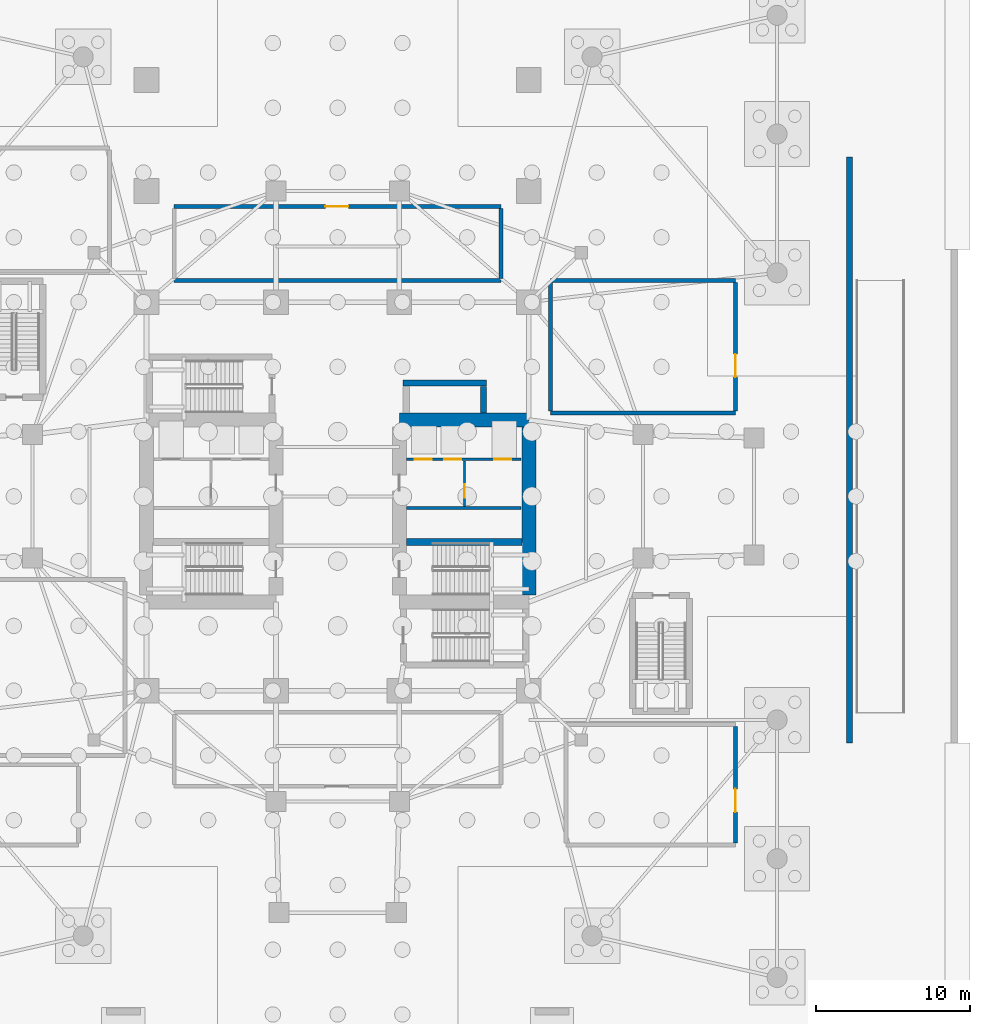
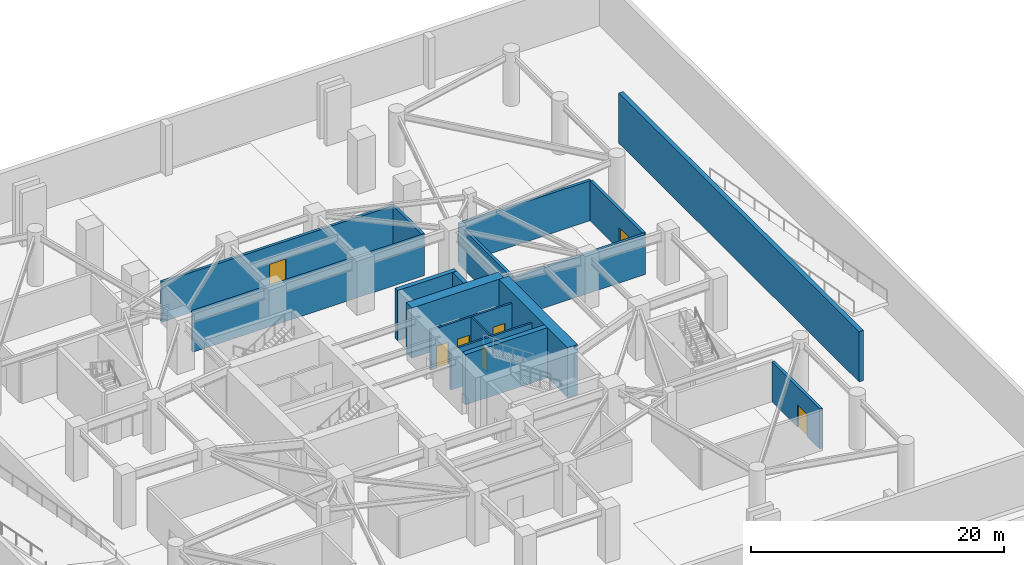
# One storey, part 7 of 14: 17 walls, 7 doors, 7 openings.
"""IFC4 building model written with IfcOpenShell, lengths in metres."""

from ifc_helpers import new_model, si_unit, direction, frame, frame_2d, origin, place, context, subcontext, project, spatial, rectangle, extrude, material, layer, layer_set, type_object, element, fill, save


model = new_model("IFC4")

# Units and contexts
model_context = context("Model", 3, precision=1e-05, world=origin(), true_north=direction((0.0, 1.0)))
body_context = subcontext(model_context, "Body", "Model", "MODEL_VIEW")
ifc_project = project(units=[si_unit("LENGTHUNIT", "METRE"), si_unit("AREAUNIT", "SQUARE_METRE"), si_unit("VOLUMEUNIT", "CUBIC_METRE"), si_unit("PLANEANGLEUNIT", "RADIAN"), si_unit("MASSUNIT", "GRAM", prefix="KILO")], contexts=[model_context])

# Site, building, storey
site_placement = place(None, origin())
site = spatial("IfcSite", under=ifc_project, at=site_placement, CompositionType="ELEMENT")
building_placement = place(site_placement, origin())
building = spatial("IfcBuilding", under=site, at=building_placement, Name="Qingluan Cross Belvedere", CompositionType="ELEMENT")
storey_placement = place(building_placement, frame((0.0, 0.0, -10.39990234375)))
storey = spatial("IfcBuildingStorey", under=building, at=storey_placement, Name="B2", CompositionType="ELEMENT", Elevation=-10.39990234375)

# Walls
ifc_material_1 = material(Name="Concrete C50", Category="concrete")
ifc_layer_1 = layer(ifc_material_1, 0.449951171875, Name="CoreShearWall_450")
ifc_layer_set_1 = layer_set([ifc_layer_1], Name="Concrete C50")
wall_type_1 = type_object("IfcWallType", Name="CoreShearWall_450", PredefinedType="SHEAR", material=ifc_layer_set_1)
wall_1_placement = place(storey_placement, frame((33.199951171875, -16.0, 0.0), z_axis=(0.0, 0.0, 1.0), x_axis=(0.0, 1.0, 0.0)))
element("IfcWall", 1, at=wall_1_placement, inside=storey, type_object=wall_type_1, Name="Vehicle ramp structural support wall E B2", PredefinedType="SHEAR", context=body_context, shape_type="SweptSolid", body=[
    extrude(rectangle(XDim=38.0, YDim=0.39990234375, at=frame_2d((19.0, 0.0))), origin(), (0.0, 0.0, 1.0), 4.849853515625),
])
wall_2_placement = place(storey_placement, frame((4.455078125, -2.9599609375, 0.0), z_axis=(0.0, 0.0, 1.0), x_axis=(1.0, 0.0, 0.0)))
element("IfcWall", 2, at=wall_2_placement, inside=storey, type_object=wall_type_1, Name="Split core E shear wall B2-M", PredefinedType="SHEAR", context=body_context, shape_type="SweptSolid", body=[
    extrude(rectangle(XDim=7.489990234375, YDim=0.449951171875, at=frame_2d((3.7451171875, 0.0))), origin(), (0.0, 0.0, 1.0), 4.849853515625),
])
wall_3_placement = place(storey_placement, frame((4.25, 7.35009765625, 0.0), z_axis=(0.0, 0.0, 1.0), x_axis=(1.0, 0.0, 0.0)))
element("IfcWall", 3, at=wall_3_placement, inside=storey, type_object=wall_type_1, Name="Express shuttle core wall B2-N", PredefinedType="SHEAR", context=body_context, shape_type="SweptSolid", body=[
    extrude(rectangle(XDim=5.39990234375, YDim=0.39990234375, at=frame_2d((2.699951171875, 0.0))), origin(), (0.0, 0.0, 1.0), 4.849853515625),
])
wall_4_placement = place(storey_placement, frame((9.449951171875, 5.405029296875, 0.0), z_axis=(0.0, 0.0, 1.0), x_axis=(0.0, 1.0, 0.0)))
element("IfcWall", 4, at=wall_4_placement, inside=storey, type_object=wall_type_1, Name="Express shuttle core wall B2-E", PredefinedType="SHEAR", context=body_context, shape_type="SweptSolid", body=[
    extrude(rectangle(XDim=1.73486328125, YDim=0.39990234375, at=frame_2d((0.867431640625, 0.0))), origin(), (0.0, 0.0, 1.0), 4.849853515625),
])
ifc_material_2 = material(Name="Concrete C70", Category="concrete")
ifc_layer_2 = layer(ifc_material_2, 0.89990234375, Name="CoreShearWall_900")
ifc_layer_set_2 = layer_set([ifc_layer_2], Name="Concrete C70")
wall_type_2 = type_object("IfcWallType", Name="CoreShearWall_900", PredefinedType="SHEAR", material=ifc_layer_set_2)
wall_5_placement = place(storey_placement, frame((4.0, 4.949951171875, 0.0), z_axis=(0.0, 0.0, 1.0), x_axis=(1.0, 0.0, 0.0)))
element("IfcWall", 5, at=wall_5_placement, inside=storey, type_object=wall_type_2, Name="Split core E shear wall B2-N", PredefinedType="SHEAR", context=body_context, shape_type="SweptSolid", body=[
    extrude(rectangle(XDim=8.39990234375, YDim=0.89990234375, at=frame_2d((4.199951171875, 0.0))), origin(), (0.0, 0.0, 1.0), 4.849853515625),
])
wall_6_placement = place(storey_placement, frame((12.39990234375, -6.39501953125, 0.0), z_axis=(0.0, 0.0, 1.0), x_axis=(0.0, 1.0, 0.0)))
element("IfcWall", 6, at=wall_6_placement, inside=storey, type_object=wall_type_2, Name="Split core E shear wall B2-E", PredefinedType="SHEAR", context=body_context, shape_type="SweptSolid", body=[
    extrude(rectangle(XDim=10.89013671875, YDim=0.89990234375, at=frame_2d((5.445068359375, 0.0))), origin(), (0.0, 0.0, 1.0), 4.849853515625),
])

# Wall, opening, door
ifc_material_3 = material(Name="Concrete C40", Category="concrete")
ifc_layer_3 = layer(ifc_material_3, 0.300048828125, Name="FireCompartmentWall_300")
ifc_layer_set_3 = layer_set([ifc_layer_3], Name="Concrete C40")
wall_type_3 = type_object("IfcWallType", Name="FireCompartmentWall_300", PredefinedType="SOLIDWALL", material=ifc_layer_set_3)
wall_7_placement = place(storey_placement, frame((25.800048828125, -22.469970703125, 0.0), z_axis=(0.0, 0.0, 1.0), x_axis=(0.0, 1.0, 0.0)))
wall_7 = element("IfcWall", 7, at=wall_7_placement, inside=storey, type_object=wall_type_3, Name="Partition B2:fire_tank_pump:E", PredefinedType="SOLIDWALL", context=body_context, shape_type="SweptSolid", body=[
    extrude(rectangle(XDim=7.5400390625, YDim=0.25, at=frame_2d((3.77001953125, 0.0))), origin(), (0.0, 0.0, 1.0), 3.869873046875),
])
opening_1_placement = place(wall_7_placement, frame((2.0, 0.0, 0.0)))
opening_1 = element("IfcOpeningElement", 8, at=opening_1_placement, cuts=wall_7, Name="Opening FD-A15", PredefinedType="OPENING", context=body_context, shape_type="SweptSolid", body=[
    extrude(rectangle(XDim=1.5, YDim=2.14990234375, at=frame_2d((0.75, 1.074951171875))), frame((0.0, 0.135009765625, 0.0), z_axis=(0.0, -1.0, 0.0), x_axis=(1.0, 0.0, 0.0)), (0.0, 0.0, 1.0), 0.27001953125),
])
ifc_material_4 = material(Name="Insulated steel Class A double fire door", Category="steel")
door_type_1 = type_object("IfcDoorType", Name="PlantDoubleFireDoor_FDA", OperationType="DOUBLE_DOOR_SINGLE_SWING", PredefinedType="DOOR", material=ifc_material_4)
door_1_placement = place(opening_1_placement, origin())
door_1 = element("IfcDoor", 9, at=door_1_placement, inside=storey, type_object=door_type_1, Name="Fire pump and water storage tank room East B2 door", OperationType="DOUBLE_DOOR_SINGLE_SWING", OverallHeight=2.14990234375, OverallWidth=1.5, PredefinedType="DOOR", context=body_context, shape_type="SweptSolid", body=[
    extrude(rectangle(XDim=1.5, YDim=2.14990234375, at=frame_2d((0.75, 1.074951171875))), frame((0.0, 0.02490234375, 0.0), z_axis=(0.0, -1.0, 0.0), x_axis=(1.0, 0.0, 0.0)), (0.0, 0.0, 1.0), 0.050048828125),
])
fill(opening_1, door_1)

# Wall
wall_8_placement = place(storey_placement, frame((-10.60009765625, 14.0, 0.0), z_axis=(0.0, 0.0, 1.0), x_axis=(1.0, 0.0, 0.0)))
element("IfcWall", 10, at=wall_8_placement, inside=storey, type_object=wall_type_3, Name="Partition B2:fire_tank_n:S", PredefinedType="SOLIDWALL", context=body_context, shape_type="SweptSolid", body=[
    extrude(rectangle(XDim=21.2001953125, YDim=0.25, at=frame_2d((10.60009765625, 0.0))), origin(), (0.0, 0.0, 1.0), 3.869873046875),
])

# Wall, opening, door
wall_9_placement = place(storey_placement, frame((-10.60009765625, 18.800048828125, 0.0), z_axis=(0.0, 0.0, 1.0), x_axis=(1.0, 0.0, 0.0)))
wall_9 = element("IfcWall", 11, at=wall_9_placement, inside=storey, type_object=wall_type_3, Name="Partition B2:fire_tank_n:N", PredefinedType="SOLIDWALL", context=body_context, shape_type="SweptSolid", body=[
    extrude(rectangle(XDim=21.2001953125, YDim=0.25, at=frame_2d((10.60009765625, 0.0))), origin(), (0.0, 0.0, 1.0), 3.869873046875),
])
opening_2_placement = place(wall_9_placement, frame((9.800048828125, 0.0, 0.0)))
opening_2 = element("IfcOpeningElement", 12, at=opening_2_placement, cuts=wall_9, Name="Opening FD-A15", PredefinedType="OPENING", context=body_context, shape_type="SweptSolid", body=[
    extrude(rectangle(XDim=1.5, YDim=2.14990234375, at=frame_2d((0.75, 1.074951171875))), frame((0.0, 0.135009765625, 0.0), z_axis=(0.0, -1.0, 0.0), x_axis=(1.0, 0.0, 0.0)), (0.0, 0.0, 1.0), 0.27001953125),
])
door_2_placement = place(opening_2_placement, origin())
door_2 = element("IfcDoor", 13, at=door_2_placement, inside=storey, type_object=door_type_1, Name="Fire water auxiliary storage tank room North B2 door", OperationType="DOUBLE_DOOR_SINGLE_SWING", OverallHeight=2.14990234375, OverallWidth=1.5, PredefinedType="DOOR", context=body_context, shape_type="SweptSolid", body=[
    extrude(rectangle(XDim=1.5, YDim=2.14990234375, at=frame_2d((0.75, 1.074951171875))), frame((0.0, 0.02490234375, 0.0), z_axis=(0.0, -1.0, 0.0), x_axis=(1.0, 0.0, 0.0)), (0.0, 0.0, 1.0), 0.050048828125),
])
fill(opening_2, door_2)

# Walls
wall_10_placement = place(storey_placement, frame((10.60009765625, 14.1298828125, 0.0), z_axis=(0.0, 0.0, 1.0), x_axis=(0.0, 1.0, 0.0)))
element("IfcWall", 14, at=wall_10_placement, inside=storey, type_object=wall_type_3, Name="Partition B2:fire_tank_n:E", PredefinedType="SOLIDWALL", context=body_context, shape_type="SweptSolid", body=[
    extrude(rectangle(XDim=4.5400390625, YDim=0.25, at=frame_2d((2.27001953125, 0.0))), origin(), (0.0, 0.0, 1.0), 3.869873046875),
])
for number, where, z_axis, x_axis, name in (
    (15, (13.800048828125, 5.39990234375, 0.0), (0.0, 0.0, 1.0), (1.0, 0.0, 0.0), "Partition B2:boiler_plant:S"),
    (16, (13.800048828125, 14.0, 0.0), (0.0, 0.0, 1.0), (1.0, 0.0, 0.0), "Partition B2:boiler_plant:N"),
):
    element("IfcWall", number, at=place(storey_placement, frame(where, z_axis=z_axis, x_axis=x_axis)), inside=storey, type_object=wall_type_3, Name=name, PredefinedType="SOLIDWALL", context=body_context, shape_type="SweptSolid", body=[
        extrude(rectangle(XDim=12.0, YDim=0.25, at=frame_2d((6.0, 0.0))), origin(), (0.0, 0.0, 1.0), 3.869873046875),
    ])
wall_11_placement = place(storey_placement, frame((13.800048828125, 5.530029296875, 0.0), z_axis=(0.0, 0.0, 1.0), x_axis=(0.0, 1.0, 0.0)))
element("IfcWall", 17, at=wall_11_placement, inside=storey, type_object=wall_type_3, Name="Partition B2:boiler_plant:W", PredefinedType="SOLIDWALL", context=body_context, shape_type="SweptSolid", body=[
    extrude(rectangle(XDim=8.340087890625, YDim=0.25, at=frame_2d((4.169921875, 0.0))), origin(), (0.0, 0.0, 1.0), 3.869873046875),
])

# Wall, opening, door
wall_12_placement = place(storey_placement, frame((25.800048828125, 5.530029296875, 0.0), z_axis=(0.0, 0.0, 1.0), x_axis=(0.0, 1.0, 0.0)))
wall_12 = element("IfcWall", 18, at=wall_12_placement, inside=storey, type_object=wall_type_3, Name="Partition B2:boiler_plant:E", PredefinedType="SOLIDWALL", context=body_context, shape_type="SweptSolid", body=[
    extrude(rectangle(XDim=8.340087890625, YDim=0.25, at=frame_2d((4.169921875, 0.0))), origin(), (0.0, 0.0, 1.0), 3.869873046875),
])
opening_3_placement = place(wall_12_placement, frame((2.199951171875, 0.0, 0.0)))
opening_3 = element("IfcOpeningElement", 19, at=opening_3_placement, cuts=wall_12, Name="Opening FD-A15", PredefinedType="OPENING", context=body_context, shape_type="SweptSolid", body=[
    extrude(rectangle(XDim=1.5, YDim=2.14990234375, at=frame_2d((0.75, 1.074951171875))), frame((0.0, 0.135009765625, 0.0), z_axis=(0.0, -1.0, 0.0), x_axis=(1.0, 0.0, 0.0)), (0.0, 0.0, 1.0), 0.27001953125),
])
door_3_placement = place(opening_3_placement, origin())
door_3 = element("IfcDoor", 20, at=door_3_placement, inside=storey, type_object=door_type_1, Name="Condensing boiler heating plant room B2 door", OperationType="DOUBLE_DOOR_SINGLE_SWING", OverallHeight=2.14990234375, OverallWidth=1.5, PredefinedType="DOOR", context=body_context, shape_type="SweptSolid", body=[
    extrude(rectangle(XDim=1.5, YDim=2.14990234375, at=frame_2d((0.75, 1.074951171875))), frame((0.0, 0.02490234375, 0.0), z_axis=(0.0, -1.0, 0.0), x_axis=(1.0, 0.0, 0.0)), (0.0, 0.0, 1.0), 0.050048828125),
])
fill(opening_3, door_3)

# Wall, openings, doors
ifc_material_5 = material(Name="Concrete C40", Category="concrete")
ifc_layer_4 = layer(ifc_material_5, 0.219970703125, Name="ShaftEnclosureWall_250")
ifc_layer_set_4 = layer_set([ifc_layer_4], Name="Concrete C40")
wall_type_4 = type_object("IfcWallType", Name="ShaftEnclosureWall_250", PredefinedType="SOLIDWALL", material=ifc_layer_set_4)
wall_13_placement = place(storey_placement, frame((4.47998046875, 2.409912109375, 0.0), z_axis=(0.0, 0.0, 1.0), x_axis=(1.0, 0.0, 0.0)))
wall_13 = element("IfcWall", 21, at=wall_13_placement, inside=storey, type_object=wall_type_4, Name="Core-E north hoistway wall B2", PredefinedType="SOLIDWALL", context=body_context, shape_type="SweptSolid", body=[
    extrude(rectangle(XDim=7.419921875, YDim=0.179931640625, at=frame_2d((3.7099609375, 0.0))), origin(), (0.0, 0.0, 1.0), 3.869873046875),
])
opening_4_placement = place(wall_13_placement, frame((5.669921875, 0.0, 0.0)))
opening_4 = element("IfcOpeningElement", 22, at=opening_4_placement, cuts=wall_13, Name="Opening LD-11", PredefinedType="OPENING", context=body_context, shape_type="SweptSolid", body=[
    extrude(rectangle(XDim=1.10009765625, YDim=2.14990234375, at=frame_2d((0.550048828125, 1.074951171875))), frame((0.0, 0.099853515625, 0.0), z_axis=(0.0, -1.0, 0.0), x_axis=(1.0, 0.0, 0.0)), (0.0, 0.0, 1.0), 0.199951171875),
])
opening_5_placement = place(wall_13_placement, frame((0.52001953125, 0.0, 0.0)))
opening_5 = element("IfcOpeningElement", 23, at=opening_5_placement, cuts=wall_13, Name="Opening LD-11", PredefinedType="OPENING", context=body_context, shape_type="SweptSolid", body=[
    extrude(rectangle(XDim=1.10009765625, YDim=2.14990234375, at=frame_2d((0.550048828125, 1.074951171875))), frame((0.0, 0.099853515625, 0.0), z_axis=(0.0, -1.0, 0.0), x_axis=(1.0, 0.0, 0.0)), (0.0, 0.0, 1.0), 0.199951171875),
])
opening_6_placement = place(wall_13_placement, frame((2.419921875, 0.0, 0.0)))
opening_6 = element("IfcOpeningElement", 24, at=opening_6_placement, cuts=wall_13, Name="Opening LD-11", PredefinedType="OPENING", context=body_context, shape_type="SweptSolid", body=[
    extrude(rectangle(XDim=1.10009765625, YDim=2.14990234375, at=frame_2d((0.550048828125, 1.074951171875))), frame((0.0, 0.099853515625, 0.0), z_axis=(0.0, -1.0, 0.0), x_axis=(1.0, 0.0, 0.0)), (0.0, 0.0, 1.0), 0.199951171875),
])
ifc_material_6 = material(Name="Brushed stainless steel centre-opening lift landing door", Category="steel")
door_type_2 = type_object("IfcDoorType", Name="LiftLandingSlidingDoor_1100", OperationType="DOUBLE_DOOR_SLIDING", PredefinedType="DOOR", material=ifc_material_6)
door_4_placement = place(opening_4_placement, origin())
door_4 = element("IfcDoor", 25, at=door_4_placement, inside=storey, type_object=door_type_2, Name="Lift landing sliding door FL2 B2", OperationType="DOUBLE_DOOR_SLIDING", OverallHeight=2.14990234375, OverallWidth=1.10009765625, PredefinedType="DOOR", context=body_context, shape_type="SweptSolid", body=[
    extrude(rectangle(XDim=1.10009765625, YDim=2.14990234375, at=frame_2d((0.550048828125, 1.074951171875))), frame((0.0, 0.02490234375, 0.0), z_axis=(0.0, -1.0, 0.0), x_axis=(1.0, 0.0, 0.0)), (0.0, 0.0, 1.0), 0.050048828125),
])
fill(opening_4, door_4)
door_5_placement = place(opening_5_placement, origin())
door_5 = element("IfcDoor", 26, at=door_5_placement, inside=storey, type_object=door_type_2, Name="Lift landing sliding door LP3 B2", OperationType="DOUBLE_DOOR_SLIDING", OverallHeight=2.14990234375, OverallWidth=1.10009765625, PredefinedType="DOOR", context=body_context, shape_type="SweptSolid", body=[
    extrude(rectangle(XDim=1.10009765625, YDim=2.14990234375, at=frame_2d((0.550048828125, 1.074951171875))), frame((0.0, 0.02490234375, 0.0), z_axis=(0.0, -1.0, 0.0), x_axis=(1.0, 0.0, 0.0)), (0.0, 0.0, 1.0), 0.050048828125),
])
fill(opening_5, door_5)
door_6_placement = place(opening_6_placement, origin())
door_6 = element("IfcDoor", 27, at=door_6_placement, inside=storey, type_object=door_type_2, Name="Lift landing sliding door LP4 B2", OperationType="DOUBLE_DOOR_SLIDING", OverallHeight=2.14990234375, OverallWidth=1.10009765625, PredefinedType="DOOR", context=body_context, shape_type="SweptSolid", body=[
    extrude(rectangle(XDim=1.10009765625, YDim=2.14990234375, at=frame_2d((0.550048828125, 1.074951171875))), frame((0.0, 0.02490234375, 0.0), z_axis=(0.0, -1.0, 0.0), x_axis=(1.0, 0.0, 0.0)), (0.0, 0.0, 1.0), 0.050048828125),
])
fill(opening_6, door_6)

# Wall
wall_14_placement = place(storey_placement, frame((4.47998046875, -0.75, 0.0), z_axis=(0.0, 0.0, 1.0), x_axis=(1.0, 0.0, 0.0)))
element("IfcWall", 28, at=wall_14_placement, inside=storey, type_object=wall_type_4, Name="Core-E mid hoistway wall B2", PredefinedType="SOLIDWALL", context=body_context, shape_type="SweptSolid", body=[
    extrude(rectangle(XDim=7.419921875, YDim=0.179931640625, at=frame_2d((3.7099609375, 0.0))), origin(), (0.0, 0.0, 1.0), 3.869873046875),
])

# Wall, opening, door
wall_15_placement = place(storey_placement, frame((8.219970703125, -0.64990234375, 0.0), z_axis=(0.0, 0.0, 1.0), x_axis=(0.0, 1.0, 0.0)))
wall_15 = element("IfcWall", 29, at=wall_15_placement, inside=storey, type_object=wall_type_4, Name="Core-E service corridor wall B2", PredefinedType="SOLIDWALL", context=body_context, shape_type="SweptSolid", body=[
    extrude(rectangle(XDim=2.9599609375, YDim=0.139892578125, at=frame_2d((1.47998046875, 0.0))), origin(), (0.0, 0.0, 1.0), 3.869873046875),
])
opening_7_placement = place(wall_15_placement, frame((0.550048828125, 0.0, 0.0)))
opening_7 = element("IfcOpeningElement", 30, at=opening_7_placement, cuts=wall_15, Name="Opening FD-B10", PredefinedType="OPENING", context=body_context, shape_type="SweptSolid", body=[
    extrude(rectangle(XDim=0.8798828125, YDim=2.10009765625, at=frame_2d((0.43994140625, 1.050048828125))), frame((0.0, 0.079833984375, 0.0), z_axis=(0.0, -1.0, 0.0), x_axis=(1.0, 0.0, 0.0)), (0.0, 0.0, 1.0), 0.159912109375),
])
ifc_material_7 = material(Name="Steel Class B service fire door", Category="steel")
door_type_3 = type_object("IfcDoorType", Name="RiserServiceFireDoor_FDB", OperationType="NOTDEFINED", PredefinedType="DOOR", material=ifc_material_7)
door_7_placement = place(opening_7_placement, origin())
door_7 = element("IfcDoor", 31, at=door_7_placement, inside=storey, type_object=door_type_3, Name="Core-E service room door B2", OperationType="SINGLE_SWING_LEFT", OverallHeight=2.10009765625, OverallWidth=0.8798828125, PredefinedType="DOOR", context=body_context, shape_type="SweptSolid", body=[
    extrude(rectangle(XDim=0.8798828125, YDim=2.10009765625, at=frame_2d((0.43994140625, 1.050048828125))), frame((0.0, 0.02490234375, 0.0), z_axis=(0.0, -1.0, 0.0), x_axis=(1.0, 0.0, 0.0)), (0.0, 0.0, 1.0), 0.050048828125),
])
fill(opening_7, door_7)

save(model, "model.ifc")
